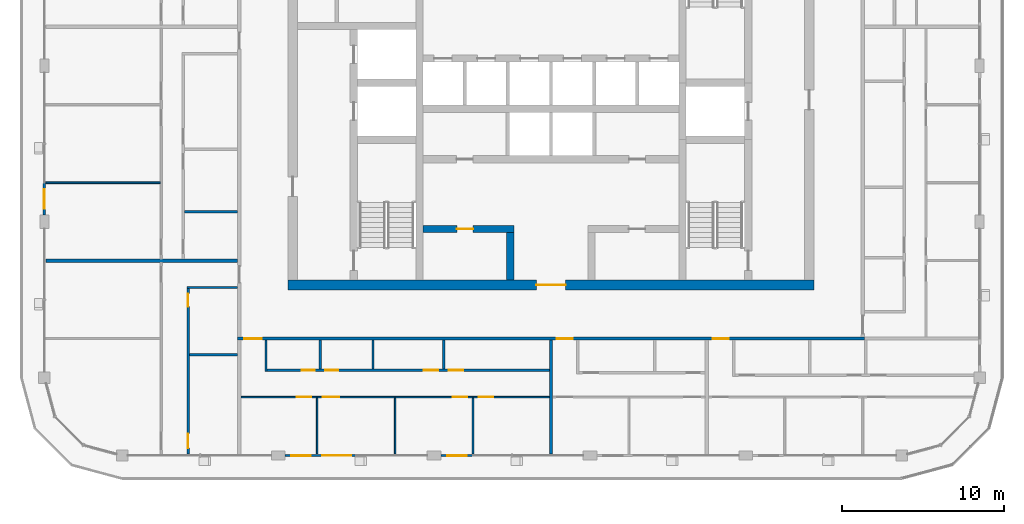
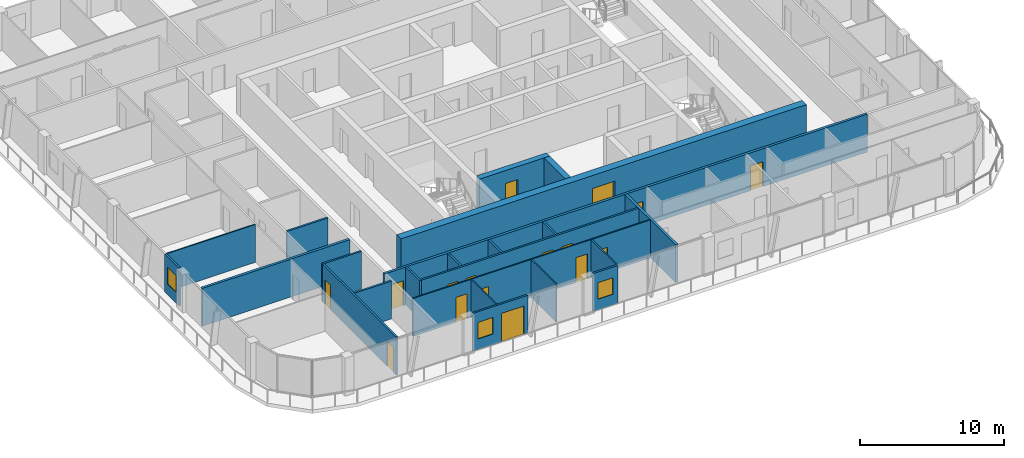
# One storey, part 9 of 21: 23 walls, 16 doors, 3 windows, 19 openings.
"""IFC4 building model written with IfcOpenShell, lengths in metres."""

from ifc_helpers import new_model, si_unit, direction, frame, frame_2d, origin, place, context, subcontext, project, spatial, rectangle, extrude, material, layer, layer_set, type_object, element, fill, save


model = new_model("IFC4")

# Units and contexts
model_context = context("Model", 3, precision=1e-05, world=origin(), true_north=direction((0.0, 1.0)))
body_context = subcontext(model_context, "Body", "Model", "MODEL_VIEW")
ifc_project = project(units=[si_unit("LENGTHUNIT", "METRE"), si_unit("AREAUNIT", "SQUARE_METRE"), si_unit("VOLUMEUNIT", "CUBIC_METRE"), si_unit("PLANEANGLEUNIT", "RADIAN"), si_unit("MASSUNIT", "GRAM", prefix="KILO")], contexts=[model_context])

# Site, building, storey
site_placement = place(None, origin())
site = spatial("IfcSite", under=ifc_project, at=site_placement, CompositionType="ELEMENT")
building_placement = place(site_placement, origin())
building = spatial("IfcBuilding", under=site, at=building_placement, Name="Madar Terraces", CompositionType="ELEMENT")
storey_placement = place(building_placement, frame((0.0, 0.0, 242.199951171875)))
storey = spatial("IfcBuildingStorey", under=building, at=storey_placement, Name="L63", CompositionType="ELEMENT", Elevation=242.199951171875)

# Wall, opening, door
ifc_material_1 = material(Name="Concrete C55/67", Category="concrete")
ifc_layer_1 = layer(ifc_material_1, 0.449951171875)
ifc_layer_set_1 = layer_set([ifc_layer_1], Name="Concrete C55/67 (CIW5 RC wall 450)")
wall_type_1 = type_object("IfcWallType", Name="CIW5 RC wall 450", PredefinedType="SHEAR", material=ifc_layer_set_1)
wall_1_placement = place(storey_placement, frame((23.324951171875, 18.75, 0.0), z_axis=(0.0, 0.0, 1.0), x_axis=(1.0, 0.0, 0.0)))
wall_1 = element("IfcWall", 1, at=wall_1_placement, inside=storey, type_object=wall_type_1, Name="CORE SHAFT WALL", PredefinedType="SHEAR", context=body_context, shape_type="SweptSolid", body=[
    extrude(rectangle(XDim=5.60009765625, YDim=0.449951171875, at=frame_2d((2.800048828125, 0.0))), origin(), (0.0, 0.0, 1.0), 3.199951171875),
])
opening_1_placement = place(wall_1_placement, frame((2.074951171875, 0.0, 0.0)))
opening_1 = element("IfcOpeningElement", 2, at=opening_1_placement, cuts=wall_1, Name="Opening KD2", PredefinedType="OPENING", context=body_context, shape_type="SweptSolid", body=[
    extrude(rectangle(XDim=1.0, YDim=2.10009765625, at=frame_2d((0.5, 1.050048828125))), frame((0.0, 0.23486328125, 0.0), z_axis=(0.0, -1.0, 0.0), x_axis=(1.0, 0.0, 0.0)), (0.0, 0.0, 1.0), 0.469970703125),
])
ifc_material_2 = material(Name="Steel door leaf", Category="steel")
door_type_1 = type_object("IfcDoorType", Name="Service room door 1000 x 2100", OperationType="NOTDEFINED", PredefinedType="DOOR", material=ifc_material_2)
door_1_placement = place(opening_1_placement, origin())
door_1 = element("IfcDoor", 3, at=door_1_placement, inside=storey, type_object=door_type_1, Name="SERVICE ROOM DOOR", OperationType="SINGLE_SWING_RIGHT", OverallHeight=2.10009765625, OverallWidth=1.0, PredefinedType="DOOR", context=body_context, shape_type="SweptSolid", body=[
    extrude(rectangle(XDim=1.0, YDim=2.10009765625, at=frame_2d((0.5, 1.050048828125))), frame((0.0, 0.02490234375, 0.0), z_axis=(0.0, -1.0, 0.0), x_axis=(1.0, 0.0, 0.0)), (0.0, 0.0, 1.0), 0.050048828125),
])
fill(opening_1, door_1)

# Wall
wall_2_placement = place(storey_placement, frame((28.699951171875, 15.60009765625, 0.0), z_axis=(0.0, 0.0, 1.0), x_axis=(0.0, 1.0, 0.0)))
element("IfcWall", 4, at=wall_2_placement, inside=storey, type_object=wall_type_1, Name="CORE SHAFT WALL", PredefinedType="SHEAR", context=body_context, shape_type="SweptSolid", body=[
    extrude(rectangle(XDim=2.9248046875, YDim=0.449951171875, at=frame_2d((1.46240234375, 0.0))), origin(), (0.0, 0.0, 1.0), 3.199951171875),
])

# Wall, opening, door
ifc_material_3 = material(Name="Concrete C55/67", Category="concrete")
ifc_layer_2 = layer(ifc_material_3, 0.60009765625)
ifc_layer_set_2 = layer_set([ifc_layer_2], Name="Concrete C55/67 (CRW5 RC wall 600)")
wall_type_2 = type_object("IfcWallType", Name="CRW5 RC wall 600", PredefinedType="SHEAR", material=ifc_layer_set_2)
wall_3_placement = place(storey_placement, frame((15.0, 15.300048828125, 0.0), z_axis=(0.0, 0.0, 1.0), x_axis=(1.0, 0.0, 0.0)))
wall_3 = element("IfcWall", 5, at=wall_3_placement, inside=storey, type_object=wall_type_2, Name="CORE OUTER WALL", PredefinedType="SHEAR", context=body_context, shape_type="SweptSolid", body=[
    extrude(rectangle(XDim=32.39990234375, YDim=0.60009765625, at=frame_2d((16.199951171875, 0.0))), origin(), (0.0, 0.0, 1.0), 3.199951171875),
])
opening_2_placement = place(wall_3_placement, frame((15.300048828125, 0.0, 0.0)))
opening_2 = element("IfcOpeningElement", 6, at=opening_2_placement, cuts=wall_3, Name="Opening KD1", PredefinedType="OPENING", context=body_context, shape_type="SweptSolid", body=[
    extrude(rectangle(XDim=1.800048828125, YDim=2.10009765625, at=frame_2d((0.89990234375, 1.050048828125))), frame((0.0, 0.31005859375, 0.0), z_axis=(0.0, -1.0, 0.0), x_axis=(1.0, 0.0, 0.0)), (0.0, 0.0, 1.0), 0.6201171875),
])
ifc_material_4 = material(Name="Steel door leaf", Category="steel")
door_type_2 = type_object("IfcDoorType", Name="Lobby door pair 1800 x 2100", OperationType="DOUBLE_DOOR_SINGLE_SWING", PredefinedType="DOOR", material=ifc_material_4)
door_2_placement = place(opening_2_placement, frame((1.800048828125, 0.0, 0.0), z_axis=(0.0, 0.0, 1.0), x_axis=(-1.0, 0.0, 0.0)))
door_2 = element("IfcDoor", 7, at=door_2_placement, inside=storey, type_object=door_type_2, Name="LIFT LOBBY DOOR", OperationType="DOUBLE_DOOR_SINGLE_SWING", OverallHeight=2.10009765625, OverallWidth=1.800048828125, PredefinedType="DOOR", context=body_context, shape_type="SweptSolid", body=[
    extrude(rectangle(XDim=1.800048828125, YDim=2.10009765625, at=frame_2d((0.89990234375, 1.050048828125))), frame((0.0, 0.02490234375, 0.0), z_axis=(0.0, -1.0, 0.0), x_axis=(1.0, 0.0, 0.0)), (0.0, 0.0, 1.0), 0.050048828125),
])
fill(opening_2, door_2)

# Wall, openings, door, window
ifc_material_5 = material(Name="Aluminium composite panel, black, over insulated backing", Category="aluminium")
ifc_layer_3 = layer(ifc_material_5, 0.14990234375)
ifc_layer_set_3 = layer_set([ifc_layer_3], Name="Facade bay panel 150")
wall_type_3 = type_object("IfcWallType", Name="Facade bay panel 150", PredefinedType="SOLIDWALL", material=ifc_layer_set_3)
wall_4_placement = place(storey_placement, frame((14.824951171875, 4.800048828125, 0.0), z_axis=(0.0, 0.0, 1.0), x_axis=(1.0, 0.0, 0.0)))
wall_4 = element("IfcWall", 8, at=wall_4_placement, inside=storey, type_object=wall_type_3, Name="Facade bay panel", PredefinedType="SOLIDWALL", context=body_context, shape_type="SweptSolid", body=[
    extrude(rectangle(XDim=4.375, YDim=0.14990234375, at=frame_2d((2.1875, 0.0))), origin(), (0.0, 0.0, 1.0), 3.199951171875),
])
opening_3_placement = place(wall_4_placement, frame((0.387451171875, 0.0, 0.89990234375)))
opening_3 = element("IfcOpeningElement", 9, at=opening_3_placement, cuts=wall_4, Name="Opening W1", PredefinedType="OPENING", context=body_context, shape_type="SweptSolid", body=[
    extrude(rectangle(XDim=1.199951171875, YDim=1.39990234375, at=frame_2d((0.60009765625, 0.699951171875))), frame((0.0, 0.0849609375, 0.0), z_axis=(0.0, -1.0, 0.0), x_axis=(1.0, 0.0, 0.0)), (0.0, 0.0, 1.0), 0.169921875),
])
opening_4_placement = place(wall_4_placement, frame((2.27490234375, 0.0, 0.0)))
opening_4 = element("IfcOpeningElement", 10, at=opening_4_placement, cuts=wall_4, Name="Opening ED1", PredefinedType="OPENING", context=body_context, shape_type="SweptSolid", body=[
    extrude(rectangle(XDim=1.800048828125, YDim=2.39990234375, at=frame_2d((0.89990234375, 1.199951171875))), frame((0.0, 0.0849609375, 0.0), z_axis=(0.0, -1.0, 0.0), x_axis=(1.0, 0.0, 0.0)), (0.0, 0.0, 1.0), 0.169921875),
])
ifc_material_6 = material(Name="Glass, clear, with black aluminium frame", Category="aluminium")
door_type_3 = type_object("IfcDoorType", Name="Balcony and terrace sliding door 1800 x 2400", OperationType="SLIDING_TO_LEFT", PredefinedType="DOOR", material=ifc_material_6)
door_3_placement = place(opening_4_placement, origin())
door_3 = element("IfcDoor", 11, at=door_3_placement, inside=storey, type_object=door_type_3, Name="Balcony door", OperationType="SLIDING_TO_LEFT", OverallHeight=2.39990234375, OverallWidth=1.800048828125, PredefinedType="DOOR", context=body_context, shape_type="SweptSolid", body=[
    extrude(rectangle(XDim=1.800048828125, YDim=2.39990234375, at=frame_2d((0.89990234375, 1.199951171875))), frame((0.0, 0.02490234375, 0.0), z_axis=(0.0, -1.0, 0.0), x_axis=(1.0, 0.0, 0.0)), (0.0, 0.0, 1.0), 0.050048828125),
])
fill(opening_4, door_3)
ifc_material_7 = material(Name="Glass, clear, with black aluminium frame", Category="aluminium")
window_type = type_object("IfcWindowType", Name="Vent window 1200 x 1400", PartitioningType="SINGLE_PANEL", PredefinedType="WINDOW", material=ifc_material_7)
window_1_placement = place(opening_3_placement, origin())
window_1 = element("IfcWindow", 12, at=window_1_placement, inside=storey, type_object=window_type, Name="Operable vent window", OverallHeight=1.39990234375, OverallWidth=1.199951171875, PartitioningType="SINGLE_PANEL", PredefinedType="WINDOW", context=body_context, shape_type="SweptSolid", body=[
    extrude(rectangle(XDim=1.199951171875, YDim=1.39990234375, at=frame_2d((0.60009765625, 0.699951171875))), frame((0.0, 0.030029296875, 0.0), z_axis=(0.0, -1.0, 0.0), x_axis=(1.0, 0.0, 0.0)), (0.0, 0.0, 1.0), 0.06005859375),
])
fill(opening_3, window_1)

# Wall, opening, window
wall_5_placement = place(storey_placement, frame((24.425048828125, 4.800048828125, 0.0), z_axis=(0.0, 0.0, 1.0), x_axis=(1.0, 0.0, 0.0)))
wall_5 = element("IfcWall", 13, at=wall_5_placement, inside=storey, type_object=wall_type_3, Name="Facade bay panel", PredefinedType="SOLIDWALL", context=body_context, shape_type="SweptSolid", body=[
    extrude(rectangle(XDim=1.974853515625, YDim=0.14990234375, at=frame_2d((0.9873046875, 0.0))), origin(), (0.0, 0.0, 1.0), 3.199951171875),
])
opening_5_placement = place(wall_5_placement, frame((0.387451171875, 0.0, 0.89990234375)))
opening_5 = element("IfcOpeningElement", 14, at=opening_5_placement, cuts=wall_5, Name="Opening W1", PredefinedType="OPENING", context=body_context, shape_type="SweptSolid", body=[
    extrude(rectangle(XDim=1.199951171875, YDim=1.39990234375, at=frame_2d((0.60009765625, 0.699951171875))), frame((0.0, 0.0849609375, 0.0), z_axis=(0.0, -1.0, 0.0), x_axis=(1.0, 0.0, 0.0)), (0.0, 0.0, 1.0), 0.169921875),
])
window_2_placement = place(opening_5_placement, origin())
window_2 = element("IfcWindow", 15, at=window_2_placement, inside=storey, type_object=window_type, Name="Operable vent window", OverallHeight=1.39990234375, OverallWidth=1.199951171875, PartitioningType="SINGLE_PANEL", PredefinedType="WINDOW", context=body_context, shape_type="SweptSolid", body=[
    extrude(rectangle(XDim=1.199951171875, YDim=1.39990234375, at=frame_2d((0.60009765625, 0.699951171875))), frame((0.0, 0.030029296875, 0.0), z_axis=(0.0, -1.0, 0.0), x_axis=(1.0, 0.0, 0.0)), (0.0, 0.0, 1.0), 0.06005859375),
])
fill(opening_5, window_2)

wall_6_placement = place(storey_placement, frame((0.0, 21.60009765625, 0.0), z_axis=(0.0, 0.0, 1.0), x_axis=(0.0, -1.0, 0.0)))
wall_6 = element("IfcWall", 16, at=wall_6_placement, inside=storey, type_object=wall_type_3, Name="Facade bay panel", PredefinedType="SOLIDWALL", context=body_context, shape_type="SweptSolid", body=[
    extrude(rectangle(XDim=1.97509765625, YDim=0.14990234375, at=frame_2d((0.987548828125, 0.0))), origin(), (0.0, 0.0, 1.0), 3.199951171875),
])
opening_6_placement = place(wall_6_placement, frame((0.387451171875, 0.0, 0.89990234375)))
opening_6 = element("IfcOpeningElement", 17, at=opening_6_placement, cuts=wall_6, Name="Opening W1", PredefinedType="OPENING", context=body_context, shape_type="SweptSolid", body=[
    extrude(rectangle(XDim=1.199951171875, YDim=1.39990234375, at=frame_2d((0.60009765625, 0.699951171875))), frame((0.0, 0.0849609375, 0.0), z_axis=(0.0, -1.0, 0.0), x_axis=(1.0, 0.0, 0.0)), (0.0, 0.0, 1.0), 0.169921875),
])
window_3_placement = place(opening_6_placement, origin())
window_3 = element("IfcWindow", 18, at=window_3_placement, inside=storey, type_object=window_type, Name="Operable vent window", OverallHeight=1.39990234375, OverallWidth=1.199951171875, PartitioningType="SINGLE_PANEL", PredefinedType="WINDOW", context=body_context, shape_type="SweptSolid", body=[
    extrude(rectangle(XDim=1.199951171875, YDim=1.39990234375, at=frame_2d((0.60009765625, 0.699951171875))), frame((0.0, 0.030029296875, 0.0), z_axis=(0.0, -1.0, 0.0), x_axis=(1.0, 0.0, 0.0)), (0.0, 0.0, 1.0), 0.06005859375),
])
fill(opening_6, window_3)

# Walls
ifc_material_8 = material(Name="Gypsum board on steel studs", Category="steel")
ifc_layer_4 = layer(ifc_material_8, 0.10009765625)
ifc_layer_set_4 = layer_set([ifc_layer_4], Name="Flat partition 100")
wall_type_4 = type_object("IfcWallType", Name="Flat partition 100", PredefinedType="PARTITIONING", material=ifc_layer_set_4)
for number, where, z_axis, x_axis, name in (
    (19, (16.800048828125, 8.35009765625, 0.0), (0.0, 0.0, 1.0), (0.0, -1.0, 0.0), "Flat partition 100"),
    (20, (21.60009765625, 8.35009765625, 0.0), (0.0, 0.0, 1.0), (0.0, -1.0, 0.0), "Flat partition 100"),
    (21, (26.39990234375, 8.35009765625, 0.0), (0.0, 0.0, 1.0), (0.0, -1.0, 0.0), "Flat partition 100"),
):
    element("IfcWall", number, at=place(storey_placement, frame(where, z_axis=z_axis, x_axis=x_axis)), inside=storey, type_object=wall_type_4, Name=name, PredefinedType="PARTITIONING", context=body_context, shape_type="SweptSolid", body=[
        extrude(rectangle(XDim=3.4501953125, YDim=0.10009765625, at=frame_2d((1.72509765625, 0.0))), origin(), (0.0, 0.0, 1.0), 3.199951171875),
    ])

# Wall, openings, doors
wall_7_placement = place(storey_placement, frame((31.10009765625, 8.39990234375, 0.0), z_axis=(0.0, 0.0, 1.0), x_axis=(-1.0, 0.0, 0.0)))
wall_7 = element("IfcWall", 22, at=wall_7_placement, inside=storey, type_object=wall_type_4, Name="Flat partition 100", PredefinedType="PARTITIONING", context=body_context, shape_type="SweptSolid", body=[
    extrude(rectangle(XDim=19.0, YDim=0.10009765625, at=frame_2d((9.5, 0.0))), origin(), (0.0, 0.0, 1.0), 3.199951171875),
])
opening_7_placement = place(wall_7_placement, frame((14.64990234375, 0.0, 0.0)))
opening_7 = element("IfcOpeningElement", 23, at=opening_7_placement, cuts=wall_7, Name="Opening D2", PredefinedType="OPENING", context=body_context, shape_type="SweptSolid", body=[
    extrude(rectangle(XDim=0.89990234375, YDim=2.10009765625, at=frame_2d((0.449951171875, 1.050048828125))), frame((0.0, 0.06005859375, 0.0), z_axis=(0.0, -1.0, 0.0), x_axis=(1.0, 0.0, 0.0)), (0.0, 0.0, 1.0), 0.1201171875),
])
opening_8_placement = place(wall_7_placement, frame((12.949951171875, 0.0, 0.0)))
opening_8 = element("IfcOpeningElement", 24, at=opening_8_placement, cuts=wall_7, Name="Opening D3", PredefinedType="OPENING", context=body_context, shape_type="SweptSolid", body=[
    extrude(rectangle(XDim=1.0, YDim=2.10009765625, at=frame_2d((0.5, 1.050048828125))), frame((0.0, 0.06005859375, 0.0), z_axis=(0.0, -1.0, 0.0), x_axis=(1.0, 0.0, 0.0)), (0.0, 0.0, 1.0), 0.1201171875),
])
opening_9_placement = place(wall_7_placement, frame((5.050048828125, 0.0, 0.0)))
opening_9 = element("IfcOpeningElement", 25, at=opening_9_placement, cuts=wall_7, Name="Opening D2", PredefinedType="OPENING", context=body_context, shape_type="SweptSolid", body=[
    extrude(rectangle(XDim=0.89990234375, YDim=2.10009765625, at=frame_2d((0.449951171875, 1.050048828125))), frame((0.0, 0.06005859375, 0.0), z_axis=(0.0, -1.0, 0.0), x_axis=(1.0, 0.0, 0.0)), (0.0, 0.0, 1.0), 0.1201171875),
])
opening_10_placement = place(wall_7_placement, frame((3.449951171875, 0.0, 0.0)))
opening_10 = element("IfcOpeningElement", 26, at=opening_10_placement, cuts=wall_7, Name="Opening D2", PredefinedType="OPENING", context=body_context, shape_type="SweptSolid", body=[
    extrude(rectangle(XDim=0.89990234375, YDim=2.10009765625, at=frame_2d((0.449951171875, 1.050048828125))), frame((0.0, 0.06005859375, 0.0), z_axis=(0.0, -1.0, 0.0), x_axis=(1.0, 0.0, 0.0)), (0.0, 0.0, 1.0), 0.1201171875),
])
ifc_material_9 = material(Name="Timber door leaf", Category="wood")
door_type_4 = type_object("IfcDoorType", Name="Flat living room door 1000", OperationType="NOTDEFINED", PredefinedType="DOOR", material=ifc_material_9)
door_4_placement = place(opening_8_placement, origin())
door_4 = element("IfcDoor", 27, at=door_4_placement, inside=storey, type_object=door_type_4, Name="Flat living room door 1000", OperationType="SINGLE_SWING_RIGHT", OverallHeight=2.10009765625, OverallWidth=1.0, PredefinedType="DOOR", context=body_context, shape_type="SweptSolid", body=[
    extrude(rectangle(XDim=1.0, YDim=2.10009765625, at=frame_2d((0.5, 1.050048828125))), frame((0.0, 0.02490234375, 0.0), z_axis=(0.0, -1.0, 0.0), x_axis=(1.0, 0.0, 0.0)), (0.0, 0.0, 1.0), 0.050048828125),
])
fill(opening_8, door_4)
ifc_material_10 = material(Name="Timber door leaf", Category="wood")
door_type_5 = type_object("IfcDoorType", Name="Flat room door 900", OperationType="NOTDEFINED", PredefinedType="DOOR", material=ifc_material_10)
door_5_placement = place(opening_7_placement, origin())
door_5 = element("IfcDoor", 28, at=door_5_placement, inside=storey, type_object=door_type_5, Name="Flat room door 900", OperationType="SINGLE_SWING_LEFT", OverallHeight=2.10009765625, OverallWidth=0.89990234375, PredefinedType="DOOR", context=body_context, shape_type="SweptSolid", body=[
    extrude(rectangle(XDim=0.89990234375, YDim=2.10009765625, at=frame_2d((0.449951171875, 1.050048828125))), frame((0.0, 0.02490234375, 0.0), z_axis=(0.0, -1.0, 0.0), x_axis=(1.0, 0.0, 0.0)), (0.0, 0.0, 1.0), 0.050048828125),
])
fill(opening_7, door_5)
door_6_placement = place(opening_9_placement, origin())
door_6 = element("IfcDoor", 29, at=door_6_placement, inside=storey, type_object=door_type_5, Name="Flat room door 900", OperationType="SINGLE_SWING_LEFT", OverallHeight=2.10009765625, OverallWidth=0.89990234375, PredefinedType="DOOR", context=body_context, shape_type="SweptSolid", body=[
    extrude(rectangle(XDim=0.89990234375, YDim=2.10009765625, at=frame_2d((0.449951171875, 1.050048828125))), frame((0.0, 0.02490234375, 0.0), z_axis=(0.0, -1.0, 0.0), x_axis=(1.0, 0.0, 0.0)), (0.0, 0.0, 1.0), 0.050048828125),
])
fill(opening_9, door_6)
door_7_placement = place(opening_10_placement, origin())
door_7 = element("IfcDoor", 30, at=door_7_placement, inside=storey, type_object=door_type_5, Name="Flat room door 900", OperationType="SINGLE_SWING_RIGHT", OverallHeight=2.10009765625, OverallWidth=0.89990234375, PredefinedType="DOOR", context=body_context, shape_type="SweptSolid", body=[
    extrude(rectangle(XDim=0.89990234375, YDim=2.10009765625, at=frame_2d((0.449951171875, 1.050048828125))), frame((0.0, 0.02490234375, 0.0), z_axis=(0.0, -1.0, 0.0), x_axis=(1.0, 0.0, 0.0)), (0.0, 0.0, 1.0), 0.050048828125),
])
fill(opening_10, door_7)

# Wall
wall_8_placement = place(storey_placement, frame((7.14990234375, 21.60009765625, 0.0), z_axis=(0.0, 0.0, 1.0), x_axis=(-1.0, 0.0, 0.0)))
element("IfcWall", 31, at=wall_8_placement, inside=storey, type_object=wall_type_4, Name="Flat partition 100", PredefinedType="PARTITIONING", context=body_context, shape_type="SweptSolid", body=[
    extrude(rectangle(XDim=7.0498046875, YDim=0.10009765625, at=frame_2d((3.52490234375, 0.0))), origin(), (0.0, 0.0, 1.0), 3.199951171875),
])

# Wall, openings, doors
ifc_material_11 = material(Name="Lightweight blockwork", Category="masonry")
ifc_layer_5 = layer(ifc_material_11, 0.199951171875)
ifc_layer_set_5 = layer_set([ifc_layer_5], Name="Flat party and entrance wall 200")
wall_type_5 = type_object("IfcWallType", Name="Flat party and entrance wall 200", PredefinedType="PARTITIONING", material=ifc_layer_set_5)
wall_9_placement = place(storey_placement, frame((50.5, 12.0, 0.0), z_axis=(0.0, 0.0, 1.0), x_axis=(-1.0, 0.0, 0.0)))
wall_9 = element("IfcWall", 32, at=wall_9_placement, inside=storey, type_object=wall_type_5, Name="Flat party and entrance wall 200", PredefinedType="PARTITIONING", context=body_context, shape_type="SweptSolid", body=[
    extrude(rectangle(XDim=38.60009765625, YDim=0.199951171875, at=frame_2d((19.300048828125, 0.0))), origin(), (0.0, 0.0, 1.0), 3.199951171875),
])
opening_11_placement = place(wall_9_placement, frame((37.10009765625, 0.0, 0.0)))
opening_11 = element("IfcOpeningElement", 33, at=opening_11_placement, cuts=wall_9, Name="Opening D6", PredefinedType="OPENING", context=body_context, shape_type="SweptSolid", body=[
    extrude(rectangle(XDim=1.10009765625, YDim=2.10009765625, at=frame_2d((0.550048828125, 1.050048828125))), frame((0.0, 0.10986328125, 0.0), z_axis=(0.0, -1.0, 0.0), x_axis=(1.0, 0.0, 0.0)), (0.0, 0.0, 1.0), 0.219970703125),
])
opening_12_placement = place(wall_9_placement, frame((17.949951171875, 0.0, 0.0)))
opening_12 = element("IfcOpeningElement", 34, at=opening_12_placement, cuts=wall_9, Name="Opening D1", PredefinedType="OPENING", context=body_context, shape_type="SweptSolid", body=[
    extrude(rectangle(XDim=1.0, YDim=2.10009765625, at=frame_2d((0.5, 1.050048828125))), frame((0.0, 0.10986328125, 0.0), z_axis=(0.0, -1.0, 0.0), x_axis=(1.0, 0.0, 0.0)), (0.0, 0.0, 1.0), 0.219970703125),
])
opening_13_placement = place(wall_9_placement, frame((8.35009765625, 0.0, 0.0)))
opening_13 = element("IfcOpeningElement", 35, at=opening_13_placement, cuts=wall_9, Name="Opening D1", PredefinedType="OPENING", context=body_context, shape_type="SweptSolid", body=[
    extrude(rectangle(XDim=1.0, YDim=2.10009765625, at=frame_2d((0.5, 1.050048828125))), frame((0.0, 0.10986328125, 0.0), z_axis=(0.0, -1.0, 0.0), x_axis=(1.0, 0.0, 0.0)), (0.0, 0.0, 1.0), 0.219970703125),
])
ifc_material_12 = material(Name="Timber fire door leaf", Category="wood")
door_type_6 = type_object("IfcDoorType", Name="Flat entrance door 1000 FD30S", OperationType="NOTDEFINED", PredefinedType="DOOR", material=ifc_material_12)
door_8_placement = place(opening_12_placement, origin())
door_8 = element("IfcDoor", 36, at=door_8_placement, inside=storey, type_object=door_type_6, Name="Flat entrance door 1000 FD30S", OperationType="SINGLE_SWING_RIGHT", OverallHeight=2.10009765625, OverallWidth=1.0, PredefinedType="DOOR", context=body_context, shape_type="SweptSolid", body=[
    extrude(rectangle(XDim=1.0, YDim=2.10009765625, at=frame_2d((0.5, 1.050048828125))), frame((0.0, 0.02490234375, 0.0), z_axis=(0.0, -1.0, 0.0), x_axis=(1.0, 0.0, 0.0)), (0.0, 0.0, 1.0), 0.050048828125),
])
fill(opening_12, door_8)
door_9_placement = place(opening_13_placement, origin())
door_9 = element("IfcDoor", 37, at=door_9_placement, inside=storey, type_object=door_type_6, Name="Flat entrance door 1000 FD30S", OperationType="SINGLE_SWING_RIGHT", OverallHeight=2.10009765625, OverallWidth=1.0, PredefinedType="DOOR", context=body_context, shape_type="SweptSolid", body=[
    extrude(rectangle(XDim=1.0, YDim=2.10009765625, at=frame_2d((0.5, 1.050048828125))), frame((0.0, 0.02490234375, 0.0), z_axis=(0.0, -1.0, 0.0), x_axis=(1.0, 0.0, 0.0)), (0.0, 0.0, 1.0), 0.050048828125),
])
fill(opening_13, door_9)
ifc_material_13 = material(Name="Timber fire door leaf", Category="wood")
door_type_7 = type_object("IfcDoorType", Name="Flat entrance door 1100 FD30S", OperationType="NOTDEFINED", PredefinedType="DOOR", material=ifc_material_13)
door_10_placement = place(opening_11_placement, origin())
door_10 = element("IfcDoor", 38, at=door_10_placement, inside=storey, type_object=door_type_7, Name="Flat entrance door 1100 FD30S", OperationType="SINGLE_SWING_RIGHT", OverallHeight=2.10009765625, OverallWidth=1.10009765625, PredefinedType="DOOR", context=body_context, shape_type="SweptSolid", body=[
    extrude(rectangle(XDim=1.10009765625, YDim=2.10009765625, at=frame_2d((0.550048828125, 1.050048828125))), frame((0.0, 0.02490234375, 0.0), z_axis=(0.0, -1.0, 0.0), x_axis=(1.0, 0.0, 0.0)), (0.0, 0.0, 1.0), 0.050048828125),
])
fill(opening_11, door_10)

# Walls
wall_10_placement = place(storey_placement, frame((31.199951171875, 11.89990234375, 0.0), z_axis=(0.0, 0.0, 1.0), x_axis=(0.0, -1.0, 0.0)))
element("IfcWall", 39, at=wall_10_placement, inside=storey, type_object=wall_type_5, Name="Flat party and entrance wall 200", PredefinedType="PARTITIONING", context=body_context, shape_type="SweptSolid", body=[
    extrude(rectangle(XDim=7.0, YDim=0.199951171875, at=frame_2d((3.5, 0.0))), origin(), (0.0, 0.0, 1.0), 3.199951171875),
])
wall_11_placement = place(storey_placement, frame((0.10009765625, 16.800048828125, 0.0), z_axis=(0.0, 0.0, 1.0), x_axis=(1.0, 0.0, 0.0)))
element("IfcWall", 40, at=wall_11_placement, inside=storey, type_object=wall_type_5, Name="Flat party and entrance wall 200", PredefinedType="PARTITIONING", context=body_context, shape_type="SweptSolid", body=[
    extrude(rectangle(XDim=11.7998046875, YDim=0.199951171875, at=frame_2d((5.89990234375, 0.0))), origin(), (0.0, 0.0, 1.0), 3.199951171875),
])
ifc_material_14 = material(Name="Lightweight blockwork", Category="masonry")
ifc_layer_6 = layer(ifc_material_14, 0.14990234375)
ifc_layer_set_6 = layer_set([ifc_layer_6], Name="Flat wet-room partition 150")
wall_type_6 = type_object("IfcWallType", Name="Flat wet-room partition 150", PredefinedType="PARTITIONING", material=ifc_layer_set_6)
for number, where, z_axis, x_axis, name in (
    (41, (16.98291015625, 11.89990234375, 0.0), (0.0, 0.0, 1.0), (0.0, -1.0, 0.0), "Flat wet-room partition 150"),
    (42, (20.240478515625, 11.89990234375, 0.0), (0.0, 0.0, 1.0), (0.0, -1.0, 0.0), "Flat wet-room partition 150"),
    (43, (24.58447265625, 11.89990234375, 0.0), (0.0, 0.0, 1.0), (0.0, -1.0, 0.0), "Flat wet-room partition 150"),
):
    element("IfcWall", number, at=place(storey_placement, frame(where, z_axis=z_axis, x_axis=x_axis)), inside=storey, type_object=wall_type_6, Name=name, PredefinedType="PARTITIONING", context=body_context, shape_type="SweptSolid", body=[
        extrude(rectangle(XDim=1.77490234375, YDim=0.14990234375, at=frame_2d((0.887451171875, 0.0))), origin(), (0.0, 0.0, 1.0), 3.199951171875),
    ])
wall_12_placement = place(storey_placement, frame((13.64990234375, 11.89990234375, 0.0), z_axis=(0.0, 0.0, 1.0), x_axis=(0.0, -1.0, 0.0)))
element("IfcWall", 44, at=wall_12_placement, inside=storey, type_object=wall_type_6, Name="Flat wet-room partition 150", PredefinedType="PARTITIONING", context=body_context, shape_type="SweptSolid", body=[
    extrude(rectangle(XDim=1.9248046875, YDim=0.14990234375, at=frame_2d((0.96240234375, 0.0))), origin(), (0.0, 0.0, 1.0), 3.199951171875),
])

# Wall, openings, doors
wall_13_placement = place(storey_placement, frame((13.72509765625, 10.050048828125, 0.0), z_axis=(0.0, 0.0, 1.0), x_axis=(1.0, 0.0, 0.0)))
wall_13 = element("IfcWall", 45, at=wall_13_placement, inside=storey, type_object=wall_type_6, Name="Flat wet-room partition 150", PredefinedType="PARTITIONING", context=body_context, shape_type="SweptSolid", body=[
    extrude(rectangle(XDim=17.375, YDim=0.14990234375, at=frame_2d((8.6875, 0.0))), origin(), (0.0, 0.0, 1.0), 3.199951171875),
])
opening_14_placement = place(wall_13_placement, frame((2.1328125, 0.0, 0.0)))
opening_14 = element("IfcOpeningElement", 46, at=opening_14_placement, cuts=wall_13, Name="Opening D7", PredefinedType="OPENING", context=body_context, shape_type="SweptSolid", body=[
    extrude(rectangle(XDim=0.800048828125, YDim=2.10009765625, at=frame_2d((0.39990234375, 1.050048828125))), frame((0.0, 0.0849609375, 0.0), z_axis=(0.0, -1.0, 0.0), x_axis=(1.0, 0.0, 0.0)), (0.0, 0.0, 1.0), 0.169921875),
])
opening_15_placement = place(wall_13_placement, frame((3.582763671875, 0.0, 0.0)))
opening_15 = element("IfcOpeningElement", 47, at=opening_15_placement, cuts=wall_13, Name="Opening D4", PredefinedType="OPENING", context=body_context, shape_type="SweptSolid", body=[
    extrude(rectangle(XDim=0.800048828125, YDim=2.10009765625, at=frame_2d((0.39990234375, 1.050048828125))), frame((0.0, 0.0849609375, 0.0), z_axis=(0.0, -1.0, 0.0), x_axis=(1.0, 0.0, 0.0)), (0.0, 0.0, 1.0), 0.169921875),
])
opening_16_placement = place(wall_13_placement, frame((9.634521484375, 0.0, 0.0)))
opening_16 = element("IfcOpeningElement", 48, at=opening_16_placement, cuts=wall_13, Name="Opening D5", PredefinedType="OPENING", context=body_context, shape_type="SweptSolid", body=[
    extrude(rectangle(XDim=0.89990234375, YDim=2.10009765625, at=frame_2d((0.449951171875, 1.050048828125))), frame((0.0, 0.0849609375, 0.0), z_axis=(0.0, -1.0, 0.0), x_axis=(1.0, 0.0, 0.0)), (0.0, 0.0, 1.0), 0.169921875),
])
opening_17_placement = place(wall_13_placement, frame((11.184326171875, 0.0, 0.0)))
opening_17 = element("IfcOpeningElement", 49, at=opening_17_placement, cuts=wall_13, Name="Opening D2", PredefinedType="OPENING", context=body_context, shape_type="SweptSolid", body=[
    extrude(rectangle(XDim=0.89990234375, YDim=2.10009765625, at=frame_2d((0.449951171875, 1.050048828125))), frame((0.0, 0.0849609375, 0.0), z_axis=(0.0, -1.0, 0.0), x_axis=(1.0, 0.0, 0.0)), (0.0, 0.0, 1.0), 0.169921875),
])
ifc_material_15 = material(Name="Timber door leaf", Category="wood")
door_type_8 = type_object("IfcDoorType", Name="Flat accessible bathroom door 900", OperationType="NOTDEFINED", PredefinedType="DOOR", material=ifc_material_15)
door_11_placement = place(opening_16_placement, origin())
door_11 = element("IfcDoor", 50, at=door_11_placement, inside=storey, type_object=door_type_8, Name="Flat accessible bathroom door 900", OperationType="SINGLE_SWING_RIGHT", OverallHeight=2.10009765625, OverallWidth=0.89990234375, PredefinedType="DOOR", context=body_context, shape_type="SweptSolid", body=[
    extrude(rectangle(XDim=0.89990234375, YDim=2.10009765625, at=frame_2d((0.449951171875, 1.050048828125))), frame((0.0, 0.02490234375, 0.0), z_axis=(0.0, -1.0, 0.0), x_axis=(1.0, 0.0, 0.0)), (0.0, 0.0, 1.0), 0.050048828125),
])
fill(opening_16, door_11)
ifc_material_16 = material(Name="Timber door leaf", Category="wood")
door_type_9 = type_object("IfcDoorType", Name="Flat bathroom door 800", OperationType="NOTDEFINED", PredefinedType="DOOR", material=ifc_material_16)
door_12_placement = place(opening_15_placement, origin())
door_12 = element("IfcDoor", 51, at=door_12_placement, inside=storey, type_object=door_type_9, Name="Flat bathroom door 800", OperationType="SINGLE_SWING_LEFT", OverallHeight=2.10009765625, OverallWidth=0.800048828125, PredefinedType="DOOR", context=body_context, shape_type="SweptSolid", body=[
    extrude(rectangle(XDim=0.800048828125, YDim=2.10009765625, at=frame_2d((0.39990234375, 1.050048828125))), frame((0.0, 0.02490234375, 0.0), z_axis=(0.0, -1.0, 0.0), x_axis=(1.0, 0.0, 0.0)), (0.0, 0.0, 1.0), 0.050048828125),
])
fill(opening_15, door_12)
door_13_placement = place(opening_17_placement, origin())
door_13 = element("IfcDoor", 52, at=door_13_placement, inside=storey, type_object=door_type_5, Name="Flat room door 900", OperationType="SINGLE_SWING_LEFT", OverallHeight=2.10009765625, OverallWidth=0.89990234375, PredefinedType="DOOR", context=body_context, shape_type="SweptSolid", body=[
    extrude(rectangle(XDim=0.89990234375, YDim=2.10009765625, at=frame_2d((0.449951171875, 1.050048828125))), frame((0.0, 0.02490234375, 0.0), z_axis=(0.0, -1.0, 0.0), x_axis=(1.0, 0.0, 0.0)), (0.0, 0.0, 1.0), 0.050048828125),
])
fill(opening_17, door_13)
ifc_material_17 = material(Name="Timber door leaf", Category="wood")
door_type_10 = type_object("IfcDoorType", Name="Flat utility door 800", OperationType="NOTDEFINED", PredefinedType="DOOR", material=ifc_material_17)
door_14_placement = place(opening_14_placement, origin())
door_14 = element("IfcDoor", 53, at=door_14_placement, inside=storey, type_object=door_type_10, Name="Flat utility door 800", OperationType="SINGLE_SWING_RIGHT", OverallHeight=2.10009765625, OverallWidth=0.800048828125, PredefinedType="DOOR", context=body_context, shape_type="SweptSolid", body=[
    extrude(rectangle(XDim=0.800048828125, YDim=2.10009765625, at=frame_2d((0.39990234375, 1.050048828125))), frame((0.0, 0.02490234375, 0.0), z_axis=(0.0, -1.0, 0.0), x_axis=(1.0, 0.0, 0.0)), (0.0, 0.0, 1.0), 0.050048828125),
])
fill(opening_14, door_14)

# Walls
wall_14_placement = place(storey_placement, frame((11.89990234375, 19.802001953125, 0.0), z_axis=(0.0, 0.0, 1.0), x_axis=(-1.0, 0.0, 0.0)))
element("IfcWall", 54, at=wall_14_placement, inside=storey, type_object=wall_type_6, Name="Flat wet-room partition 150", PredefinedType="PARTITIONING", context=body_context, shape_type="SweptSolid", body=[
    extrude(rectangle(XDim=3.27490234375, YDim=0.14990234375, at=frame_2d((1.637451171875, 0.0))), origin(), (0.0, 0.0, 1.0), 3.199951171875),
])
wall_15_placement = place(storey_placement, frame((11.89990234375, 11.0048828125, 0.0), z_axis=(0.0, 0.0, 1.0), x_axis=(-1.0, 0.0, 0.0)))
element("IfcWall", 55, at=wall_15_placement, inside=storey, type_object=wall_type_6, Name="Flat wet-room partition 150", PredefinedType="PARTITIONING", context=body_context, shape_type="SweptSolid", body=[
    extrude(rectangle(XDim=2.974853515625, YDim=0.14990234375, at=frame_2d((1.4873046875, 0.0))), origin(), (0.0, 0.0, 1.0), 3.199951171875),
])
wall_16_placement = place(storey_placement, frame((11.89990234375, 15.14990234375, 0.0), z_axis=(0.0, 0.0, 1.0), x_axis=(-1.0, 0.0, 0.0)))
element("IfcWall", 56, at=wall_16_placement, inside=storey, type_object=wall_type_6, Name="Flat wet-room partition 150", PredefinedType="PARTITIONING", context=body_context, shape_type="SweptSolid", body=[
    extrude(rectangle(XDim=3.125, YDim=0.14990234375, at=frame_2d((1.5625, 0.0))), origin(), (0.0, 0.0, 1.0), 3.199951171875),
])

# Wall, openings, doors
wall_17_placement = place(storey_placement, frame((8.85009765625, 15.074951171875, 0.0), z_axis=(0.0, 0.0, 1.0), x_axis=(0.0, -1.0, 0.0)))
wall_17 = element("IfcWall", 57, at=wall_17_placement, inside=storey, type_object=wall_type_6, Name="Flat wet-room partition 150", PredefinedType="PARTITIONING", context=body_context, shape_type="SweptSolid", body=[
    extrude(rectangle(XDim=10.175048828125, YDim=0.14990234375, at=frame_2d((5.08740234375, 0.0))), origin(), (0.0, 0.0, 1.0), 3.199951171875),
])
opening_18_placement = place(wall_17_placement, frame((0.300048828125, 0.0, 0.0)))
opening_18 = element("IfcOpeningElement", 58, at=opening_18_placement, cuts=wall_17, Name="Opening D4", PredefinedType="OPENING", context=body_context, shape_type="SweptSolid", body=[
    extrude(rectangle(XDim=0.800048828125, YDim=2.10009765625, at=frame_2d((0.39990234375, 1.050048828125))), frame((0.0, 0.0849609375, 0.0), z_axis=(0.0, -1.0, 0.0), x_axis=(1.0, 0.0, 0.0)), (0.0, 0.0, 1.0), 0.169921875),
])
opening_19_placement = place(wall_17_placement, frame((8.925048828125, 0.0, 0.0)))
opening_19 = element("IfcOpeningElement", 59, at=opening_19_placement, cuts=wall_17, Name="Opening D2", PredefinedType="OPENING", context=body_context, shape_type="SweptSolid", body=[
    extrude(rectangle(XDim=0.89990234375, YDim=2.10009765625, at=frame_2d((0.449951171875, 1.050048828125))), frame((0.0, 0.0849609375, 0.0), z_axis=(0.0, -1.0, 0.0), x_axis=(1.0, 0.0, 0.0)), (0.0, 0.0, 1.0), 0.169921875),
])
door_15_placement = place(opening_18_placement, origin())
door_15 = element("IfcDoor", 60, at=door_15_placement, inside=storey, type_object=door_type_9, Name="Flat bathroom door 800", OperationType="SINGLE_SWING_LEFT", OverallHeight=2.10009765625, OverallWidth=0.800048828125, PredefinedType="DOOR", context=body_context, shape_type="SweptSolid", body=[
    extrude(rectangle(XDim=0.800048828125, YDim=2.10009765625, at=frame_2d((0.39990234375, 1.050048828125))), frame((0.0, 0.02490234375, 0.0), z_axis=(0.0, -1.0, 0.0), x_axis=(1.0, 0.0, 0.0)), (0.0, 0.0, 1.0), 0.050048828125),
])
fill(opening_18, door_15)
door_16_placement = place(opening_19_placement, origin())
door_16 = element("IfcDoor", 61, at=door_16_placement, inside=storey, type_object=door_type_5, Name="Flat room door 900", OperationType="SINGLE_SWING_RIGHT", OverallHeight=2.10009765625, OverallWidth=0.89990234375, PredefinedType="DOOR", context=body_context, shape_type="SweptSolid", body=[
    extrude(rectangle(XDim=0.89990234375, YDim=2.10009765625, at=frame_2d((0.449951171875, 1.050048828125))), frame((0.0, 0.02490234375, 0.0), z_axis=(0.0, -1.0, 0.0), x_axis=(1.0, 0.0, 0.0)), (0.0, 0.0, 1.0), 0.050048828125),
])
fill(opening_19, door_16)

save(model, "model.ifc")
